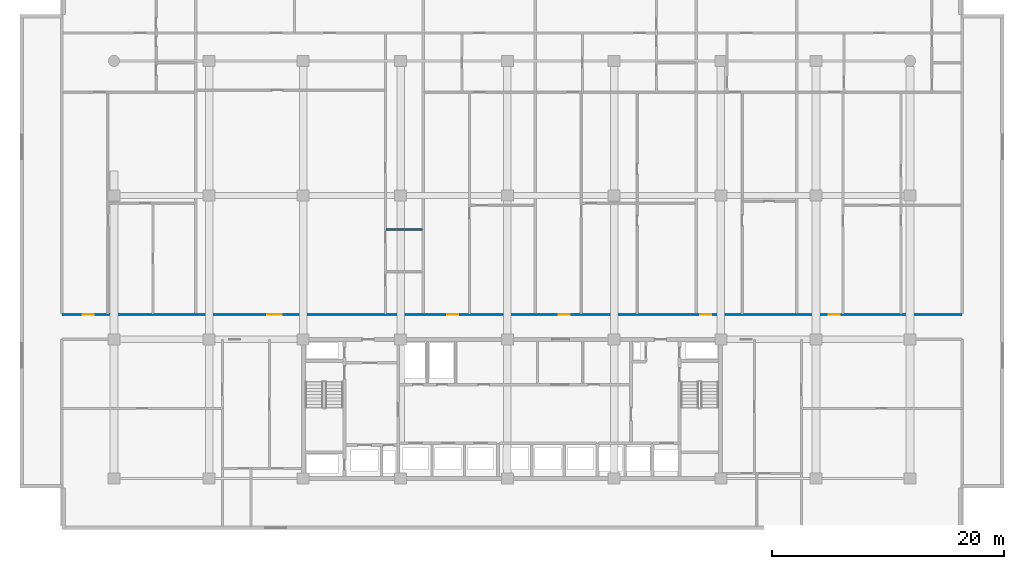
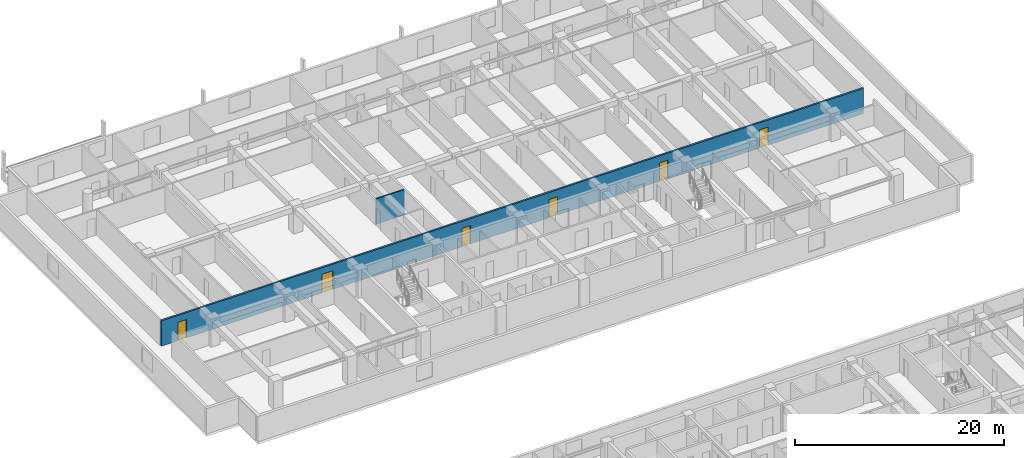
# One storey, part 14 of 24: 6 doors, 2 walls, 6 openings.
"""IFC4 building model written with IfcOpenShell, lengths in metres."""

from ifc_helpers import new_model, si_unit, direction, frame, frame_2d, origin, place, context, subcontext, project, spatial, rectangle, extrude, material, layer, layer_set, type_object, element, fill, save


model = new_model("IFC4")

# Units and contexts
model_context = context("Model", 3, precision=1e-05, world=origin(), true_north=direction((0.0, 1.0)))
body_context = subcontext(model_context, "Body", "Model", "MODEL_VIEW")
ifc_project = project(units=[si_unit("LENGTHUNIT", "METRE"), si_unit("AREAUNIT", "SQUARE_METRE"), si_unit("VOLUMEUNIT", "CUBIC_METRE"), si_unit("PLANEANGLEUNIT", "RADIAN"), si_unit("MASSUNIT", "GRAM", prefix="KILO")], contexts=[model_context])

# Site, building, storey
site_placement = place(None, origin())
site = spatial("IfcSite", under=ifc_project, at=site_placement, CompositionType="ELEMENT")
building_placement = place(site_placement, origin())
building = spatial("IfcBuilding", under=site, at=building_placement, Name="Korimba Cascade Residences", CompositionType="ELEMENT")
storey_placement = place(building_placement, frame((0.0, 0.0, 66.25)))
storey = spatial("IfcBuildingStorey", under=building, at=storey_placement, Name="L18", CompositionType="ELEMENT", Elevation=66.25)

# Wall, openings, doors
ifc_material_1 = material(Name="Precast concrete C40/50", Category="concrete")
ifc_layer_1 = layer(ifc_material_1, 0.199951171875)
ifc_layer_set_1 = layer_set([ifc_layer_1], Name="Precast concrete C40/50")
wall_type_1 = type_object("IfcWallType", Name="WAL-IT-200", PredefinedType="PARTITIONING", material=ifc_layer_set_1)
wall_1_placement = place(storey_placement, frame((55.300048828125, 69.35009765625, 0.0), z_axis=(0.0, 0.0, 1.0), x_axis=(1.0, 0.0, 0.0)))
wall_1 = element("IfcWall", 1, at=wall_1_placement, inside=storey, type_object=wall_type_1, Name="L18 Partition Wall WAL-L18-T1-CORN", PredefinedType="PARTITIONING", context=body_context, shape_type="SweptSolid", body=[
    extrude(rectangle(XDim=77.599853515625, YDim=0.199951171875, at=frame_2d((38.7998046875, 0.0))), origin(), (0.0, 0.0, 1.0), 2.969970703125),
])
opening_1_placement = place(wall_1_placement, frame((1.81005859375, 0.0, 0.0)))
opening_1 = element("IfcOpeningElement", 2, at=opening_1_placement, cuts=wall_1, Name="Opening D-UN1", PredefinedType="OPENING", context=body_context, shape_type="SweptSolid", body=[
    extrude(rectangle(XDim=0.949951171875, YDim=2.14990234375, at=frame_2d((0.47509765625, 1.074951171875))), frame((0.0, 0.10986328125, 0.0), z_axis=(0.0, -1.0, 0.0), x_axis=(1.0, 0.0, 0.0)), (0.0, 0.0, 1.0), 0.219970703125),
])
opening_2_placement = place(wall_1_placement, frame((17.724609375, 0.0, 0.0)))
opening_2 = element("IfcOpeningElement", 3, at=opening_2_placement, cuts=wall_1, Name="Opening D-AM1", PredefinedType="OPENING", context=body_context, shape_type="SweptSolid", body=[
    extrude(rectangle(XDim=1.219970703125, YDim=2.179931640625, at=frame_2d((0.60986328125, 1.08984375))), frame((0.0, 0.10986328125, 0.0), z_axis=(0.0, -1.0, 0.0), x_axis=(1.0, 0.0, 0.0)), (0.0, 0.0, 1.0), 0.219970703125),
])
opening_3_placement = place(wall_1_placement, frame((33.209716796875, 0.0, 0.0)))
opening_3 = element("IfcOpeningElement", 4, at=opening_3_placement, cuts=wall_1, Name="Opening D-UN1", PredefinedType="OPENING", context=body_context, shape_type="SweptSolid", body=[
    extrude(rectangle(XDim=0.949951171875, YDim=2.14990234375, at=frame_2d((0.47509765625, 1.074951171875))), frame((0.0, 0.10986328125, 0.0), z_axis=(0.0, -1.0, 0.0), x_axis=(1.0, 0.0, 0.0)), (0.0, 0.0, 1.0), 0.219970703125),
])
opening_4_placement = place(wall_1_placement, frame((42.84814453125, 0.0, 0.0)))
opening_4 = element("IfcOpeningElement", 5, at=opening_4_placement, cuts=wall_1, Name="Opening D-UN1", PredefinedType="OPENING", context=body_context, shape_type="SweptSolid", body=[
    extrude(rectangle(XDim=0.949951171875, YDim=2.14990234375, at=frame_2d((0.47509765625, 1.074951171875))), frame((0.0, 0.10986328125, 0.0), z_axis=(0.0, -1.0, 0.0), x_axis=(1.0, 0.0, 0.0)), (0.0, 0.0, 1.0), 0.219970703125),
])
opening_5_placement = place(wall_1_placement, frame((55.035400390625, 0.0, 0.0)))
opening_5 = element("IfcOpeningElement", 6, at=opening_5_placement, cuts=wall_1, Name="Opening D-UN1", PredefinedType="OPENING", context=body_context, shape_type="SweptSolid", body=[
    extrude(rectangle(XDim=0.949951171875, YDim=2.14990234375, at=frame_2d((0.47509765625, 1.074951171875))), frame((0.0, 0.10986328125, 0.0), z_axis=(0.0, -1.0, 0.0), x_axis=(1.0, 0.0, 0.0)), (0.0, 0.0, 1.0), 0.219970703125),
])
opening_6_placement = place(wall_1_placement, frame((66.115478515625, 0.0, 0.0)))
opening_6 = element("IfcOpeningElement", 7, at=opening_6_placement, cuts=wall_1, Name="Opening D-UN1", PredefinedType="OPENING", context=body_context, shape_type="SweptSolid", body=[
    extrude(rectangle(XDim=0.949951171875, YDim=2.14990234375, at=frame_2d((0.47509765625, 1.074951171875))), frame((0.0, 0.10986328125, 0.0), z_axis=(0.0, -1.0, 0.0), x_axis=(1.0, 0.0, 0.0)), (0.0, 0.0, 1.0), 0.219970703125),
])
ifc_material_2 = material(Name="Fire-Rated Glazed Timber Suite Door", Category="wood")
door_type_1 = type_object("IfcDoorType", Name="DR-FD60-1200", OperationType="NOTDEFINED", PredefinedType="DOOR", material=ifc_material_2)
door_1_placement = place(opening_2_placement, origin())
door_1 = element("IfcDoor", 8, at=door_1_placement, inside=storey, type_object=door_type_1, Name="L18-T1-U02 Health Consultation Clinic Door", OperationType="SINGLE_SWING_LEFT", OverallHeight=2.179931640625, OverallWidth=1.219970703125, PredefinedType="DOOR", context=body_context, shape_type="SweptSolid", body=[
    extrude(rectangle(XDim=1.219970703125, YDim=2.179931640625, at=frame_2d((0.60986328125, 1.08984375))), frame((0.0, 0.02490234375, 0.0), z_axis=(0.0, -1.0, 0.0), x_axis=(1.0, 0.0, 0.0)), (0.0, 0.0, 1.0), 0.050048828125),
])
fill(opening_2, door_1)
ifc_material_3 = material(Name="Fire-Rated Hardwood Apartment Entrance Door", Category="wood")
door_type_2 = type_object("IfcDoorType", Name="DR-FD60-950", OperationType="NOTDEFINED", PredefinedType="DOOR", material=ifc_material_3)
door_2_placement = place(opening_1_placement, origin())
door_2 = element("IfcDoor", 9, at=door_2_placement, inside=storey, type_object=door_type_2, Name="Unit L18-T1-U01 Entrance Door", OperationType="SINGLE_SWING_RIGHT", OverallHeight=2.14990234375, OverallWidth=0.949951171875, PredefinedType="DOOR", context=body_context, shape_type="SweptSolid", body=[
    extrude(rectangle(XDim=0.949951171875, YDim=2.14990234375, at=frame_2d((0.47509765625, 1.074951171875))), frame((0.0, 0.02490234375, 0.0), z_axis=(0.0, -1.0, 0.0), x_axis=(1.0, 0.0, 0.0)), (0.0, 0.0, 1.0), 0.050048828125),
])
fill(opening_1, door_2)
door_3_placement = place(opening_3_placement, origin())
door_3 = element("IfcDoor", 10, at=door_3_placement, inside=storey, type_object=door_type_2, Name="Unit L18-T1-U03 Entrance Door", OperationType="SINGLE_SWING_RIGHT", OverallHeight=2.14990234375, OverallWidth=0.949951171875, PredefinedType="DOOR", context=body_context, shape_type="SweptSolid", body=[
    extrude(rectangle(XDim=0.949951171875, YDim=2.14990234375, at=frame_2d((0.47509765625, 1.074951171875))), frame((0.0, 0.02490234375, 0.0), z_axis=(0.0, -1.0, 0.0), x_axis=(1.0, 0.0, 0.0)), (0.0, 0.0, 1.0), 0.050048828125),
])
fill(opening_3, door_3)
door_4_placement = place(opening_4_placement, origin())
door_4 = element("IfcDoor", 11, at=door_4_placement, inside=storey, type_object=door_type_2, Name="Unit L18-T1-U04 Entrance Door", OperationType="SINGLE_SWING_LEFT", OverallHeight=2.14990234375, OverallWidth=0.949951171875, PredefinedType="DOOR", context=body_context, shape_type="SweptSolid", body=[
    extrude(rectangle(XDim=0.949951171875, YDim=2.14990234375, at=frame_2d((0.47509765625, 1.074951171875))), frame((0.0, 0.02490234375, 0.0), z_axis=(0.0, -1.0, 0.0), x_axis=(1.0, 0.0, 0.0)), (0.0, 0.0, 1.0), 0.050048828125),
])
fill(opening_4, door_4)
door_5_placement = place(opening_5_placement, origin())
door_5 = element("IfcDoor", 12, at=door_5_placement, inside=storey, type_object=door_type_2, Name="Unit L18-T1-U05 Entrance Door", OperationType="SINGLE_SWING_RIGHT", OverallHeight=2.14990234375, OverallWidth=0.949951171875, PredefinedType="DOOR", context=body_context, shape_type="SweptSolid", body=[
    extrude(rectangle(XDim=0.949951171875, YDim=2.14990234375, at=frame_2d((0.47509765625, 1.074951171875))), frame((0.0, 0.02490234375, 0.0), z_axis=(0.0, -1.0, 0.0), x_axis=(1.0, 0.0, 0.0)), (0.0, 0.0, 1.0), 0.050048828125),
])
fill(opening_5, door_5)
door_6_placement = place(opening_6_placement, origin())
door_6 = element("IfcDoor", 13, at=door_6_placement, inside=storey, type_object=door_type_2, Name="Unit L18-T1-U06 Entrance Door", OperationType="SINGLE_SWING_LEFT", OverallHeight=2.14990234375, OverallWidth=0.949951171875, PredefinedType="DOOR", context=body_context, shape_type="SweptSolid", body=[
    extrude(rectangle(XDim=0.949951171875, YDim=2.14990234375, at=frame_2d((0.47509765625, 1.074951171875))), frame((0.0, 0.02490234375, 0.0), z_axis=(0.0, -1.0, 0.0), x_axis=(1.0, 0.0, 0.0)), (0.0, 0.0, 1.0), 0.050048828125),
])
fill(opening_6, door_6)

# Wall
ifc_material_4 = material(Name="Insulated Acoustic Stud Partition", Category="gypsum")
ifc_layer_2 = layer(ifc_material_4, 0.14990234375)
ifc_layer_set_2 = layer_set([ifc_layer_2], Name="Insulated Acoustic Stud Partition")
wall_type_2 = type_object("IfcWallType", Name="WAL-PART-150", PredefinedType="PARTITIONING", material=ifc_layer_set_2)
wall_2_placement = place(storey_placement, frame((83.2548828125, 76.669921875, 0.0), z_axis=(0.0, 0.0, 1.0), x_axis=(1.0, 0.0, 0.0)))
element("IfcWall", 14, at=wall_2_placement, inside=storey, type_object=wall_type_2, Name="L18 Partition Wall WAL-L18-T1-U02-WCH2", PredefinedType="PARTITIONING", context=body_context, shape_type="SweptSolid", body=[
    extrude(rectangle(XDim=3.1298828125, YDim=0.14990234375, at=frame_2d((1.56494140625, 0.0))), origin(), (0.0, 0.0, 1.0), 2.969970703125),
])

save(model, "model.ifc")
